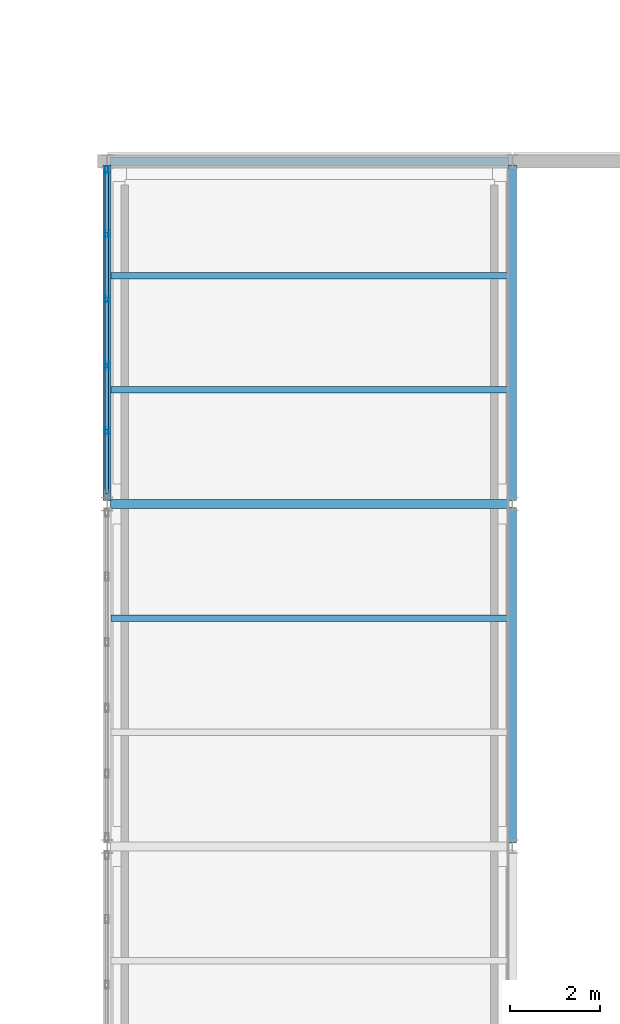
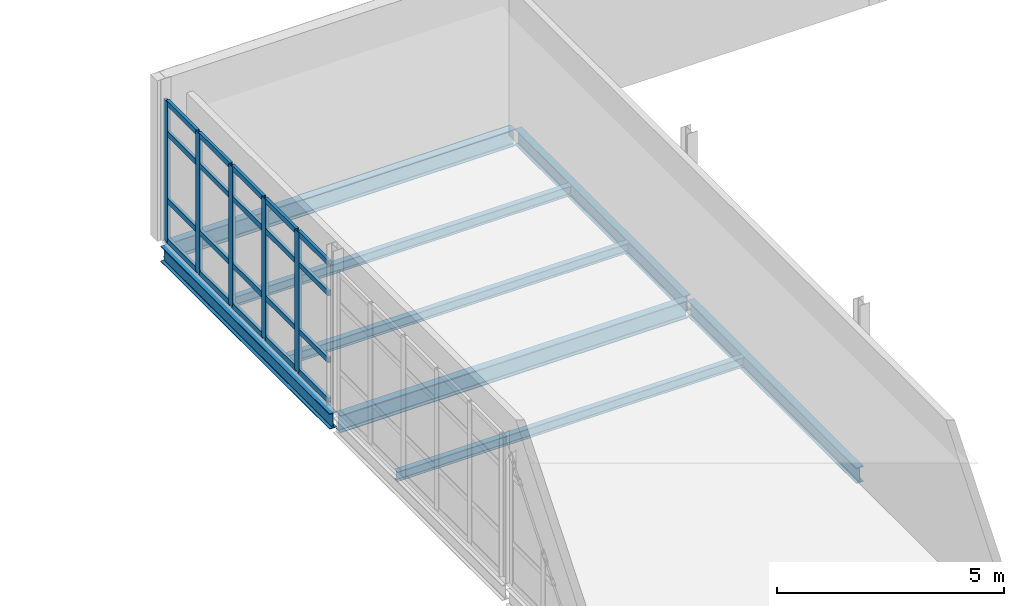
# One storey, part 113 of 174: 25 members, 8 beams, 1 element without a shape of its own.
"""IFC4 building model written with IfcOpenShell, lengths in metres."""

from ifc_helpers import new_model, si_unit, direction, frame, origin, origin_2d, place, context, subcontext, project, spatial, hollow_rectangle, i_section, extrude, material, material_profile, profile_set, type_object, element, aggregate, save


model = new_model("IFC4")

# Units and contexts
model_context = context("Model", 3, precision=1e-05, world=origin(), true_north=direction((0.0, 1.0)))
body_context = subcontext(model_context, "Body", "Model", "MODEL_VIEW")
ifc_project = project(units=[si_unit("LENGTHUNIT", "METRE"), si_unit("AREAUNIT", "SQUARE_METRE"), si_unit("VOLUMEUNIT", "CUBIC_METRE"), si_unit("PLANEANGLEUNIT", "RADIAN"), si_unit("MASSUNIT", "GRAM", prefix="KILO")], contexts=[model_context])

# Site, building, storey
site_placement = place(None, origin())
site = spatial("IfcSite", under=ifc_project, at=site_placement, CompositionType="ELEMENT")
building_placement = place(site_placement, origin())
building = spatial("IfcBuilding", under=site, at=building_placement, Name="Caisbarro Railhouse Central Library", CompositionType="ELEMENT")
storey_placement = place(building_placement, frame((0.0, 0.0, 5.0400390625)))
storey = spatial("IfcBuildingStorey", under=building, at=storey_placement, Name="L01", CompositionType="ELEMENT", Elevation=5.0400390625)

# Beams
ifc_material_1 = material(Name="Steel ASTM A572 Grade 50", Category="steel")
ifc_material_profile_1 = material_profile(ifc_material_1, i_section(OverallWidth=0.194091796875, OverallDepth=0.468994140625, WebThickness=0.0126953125, FlangeThickness=0.0205078125, FilletRadius=0.01806640625, at=origin_2d()), Name="W460X106.0")
ifc_profile_set_1 = profile_set([ifc_material_profile_1], Name="Steel ASTM A572 Grade 50")
beam_type_1 = type_object("IfcBeamType", Name="BM-G07", PredefinedType="BEAM", material=ifc_profile_set_1)
beam_1_placement = place(storey_placement, frame((144.080078125, 30.39990234375, -0.4345703125), z_axis=(1.0, 0.0, 0.0), x_axis=(0.0, 1.0, 0.0)))
element("IfcBeam", 1, at=beam_1_placement, inside=storey, type_object=beam_type_1, Name="G07 beam L01 #1061", PredefinedType="BEAM", context=body_context, shape_type="SweptSolid", body=[
    extrude(i_section(OverallWidth=0.194091796875, OverallDepth=0.468994140625, WebThickness=0.0126953125, FlangeThickness=0.0205078125, FilletRadius=0.01806640625, at=origin_2d()), origin(), (0.0, 0.0, 1.0), 8.83984375),
])
ifc_material_profile_2 = material_profile(ifc_material_1, i_section(OverallWidth=0.180908203125, OverallDepth=0.4169921875, WebThickness=0.010986328125, FlangeThickness=0.018310546875, FilletRadius=0.01611328125, at=origin_2d()), Name="W410X85.0")
ifc_profile_set_2 = profile_set([ifc_material_profile_2], Name="Steel ASTM A572 Grade 50")
beam_type_2 = type_object("IfcBeamType", Name="BM-G09", PredefinedType="BEAM", material=ifc_profile_set_2)
beam_2_placement = place(storey_placement, frame((144.0, 30.47998046875, -0.408447265625), z_axis=(0.0, 1.0, 0.0), x_axis=(-1.0, 0.0, 0.0)))
element("IfcBeam", 2, at=beam_2_placement, inside=storey, type_object=beam_type_2, Name="G09 beam L01 #1067", PredefinedType="BEAM", context=body_context, shape_type="SweptSolid", body=[
    extrude(i_section(OverallWidth=0.180908203125, OverallDepth=0.4169921875, WebThickness=0.010986328125, FlangeThickness=0.018310546875, FilletRadius=0.01611328125, at=origin_2d()), origin(), (0.0, 0.0, 1.0), 7.43994140625),
])
beam_3_placement = place(storey_placement, frame((153.0, 22.8798828125, -0.408447265625), z_axis=(0.0, 1.0, 0.0), x_axis=(-1.0, 0.0, 0.0)))
element("IfcBeam", 3, at=beam_3_placement, inside=storey, type_object=beam_type_2, Name="G09 beam L01 #1071", PredefinedType="BEAM", context=body_context, shape_type="SweptSolid", body=[
    extrude(i_section(OverallWidth=0.180908203125, OverallDepth=0.4169921875, WebThickness=0.010986328125, FlangeThickness=0.018310546875, FilletRadius=0.01611328125, at=origin_2d()), origin(), (0.0, 0.0, 1.0), 7.440185546875),
])
beam_4_placement = place(storey_placement, frame((153.0, 30.47998046875, -0.408447265625), z_axis=(0.0, 1.0, 0.0), x_axis=(-1.0, 0.0, 0.0)))
element("IfcBeam", 4, at=beam_4_placement, inside=storey, type_object=beam_type_2, Name="G09 beam L01 #1072", PredefinedType="BEAM", context=body_context, shape_type="SweptSolid", body=[
    extrude(i_section(OverallWidth=0.180908203125, OverallDepth=0.4169921875, WebThickness=0.010986328125, FlangeThickness=0.018310546875, FilletRadius=0.01611328125, at=origin_2d()), origin(), (0.0, 0.0, 1.0), 7.43994140625),
])
ifc_material_profile_3 = material_profile(ifc_material_1, i_section(OverallWidth=0.14599609375, OverallDepth=0.258056640625, WebThickness=0.006103515625, FlangeThickness=0.009033203125, FilletRadius=0.010009765625, at=origin_2d()), Name="W250X32.7")
ifc_profile_set_3 = profile_set([ifc_material_profile_3], Name="Steel ASTM A572 Grade 50")
beam_type_3 = type_object("IfcBeamType", Name="BM-J05", PredefinedType="JOIST", material=ifc_profile_set_3)
for number, where, z_axis, x_axis, name in (
    (5, (144.090576171875, 27.86669921875, -0.3291015625), (1.0, 0.0, 0.0), (0.0, 1.0, 0.0), "J05 beam L01 #1078"),
    (6, (144.090576171875, 32.933349609375, -0.3291015625), (1.0, 0.0, 0.0), (0.0, 1.0, 0.0), "J05 beam L01 #1079"),
    (7, (144.090576171875, 35.466796875, -0.3291015625), (1.0, 0.0, 0.0), (0.0, 1.0, 0.0), "J05 beam L01 #1080"),
):
    element("IfcBeam", number, at=place(storey_placement, frame(where, z_axis=z_axis, x_axis=x_axis)), inside=storey, type_object=beam_type_3, Name=name, PredefinedType="JOIST", context=body_context, shape_type="SweptSolid", body=[
        extrude(i_section(OverallWidth=0.14599609375, OverallDepth=0.258056640625, WebThickness=0.006103515625, FlangeThickness=0.009033203125, FilletRadius=0.010009765625, at=origin_2d()), origin(), (0.0, 0.0, 1.0), 8.81884765625),
    ])
ifc_material_profile_4 = material_profile(ifc_material_1, i_section(OverallWidth=0.18994140625, OverallDepth=0.45703125, WebThickness=0.009033203125, FlangeThickness=0.014404296875, FilletRadius=0.01806640625, at=origin_2d()), Name="W460X74.0")
ifc_profile_set_4 = profile_set([ifc_material_profile_4], Name="Steel ASTM A572 Grade 50")
beam_type_4 = type_object("IfcBeamType", Name="BM-SP01", PredefinedType="SPANDREL", material=ifc_profile_set_4)
beam_5_placement = place(storey_placement, frame((144.080078125, 38.0, -0.428466796875), z_axis=(1.0, 0.0, 0.0), x_axis=(0.0, 1.0, 0.0)))
element("IfcBeam", 8, at=beam_5_placement, inside=storey, type_object=beam_type_4, Name="SP01 beam L01 #1062", PredefinedType="SPANDREL", context=body_context, shape_type="SweptSolid", body=[
    extrude(i_section(OverallWidth=0.18994140625, OverallDepth=0.45703125, WebThickness=0.009033203125, FlangeThickness=0.014404296875, FilletRadius=0.01806640625, at=origin_2d()), origin(), (0.0, 0.0, 1.0), 8.83984375),
])

# Curtain wall, members
ifc_material_2 = material(Name="Anodised architectural aluminium", Category="aluminium")
curtain_wall_type = type_object("IfcCurtainWallType", Name="CW-CW02", PredefinedType="NOTDEFINED", material=ifc_material_2)
curtain_wall_placement = place(storey_placement, origin())
curtain_wall = element("IfcCurtainWall", 9, at=curtain_wall_placement, inside=storey, type_object=curtain_wall_type, Name="CW02 curtain wall L01 #91", PredefinedType="NOTDEFINED")
ifc_material_profile_5 = material_profile(ifc_material_2, hollow_rectangle(XDim=0.074951171875, YDim=0.179931640625, WallThickness=0.00439453125, at=origin_2d()), Name="ALU-MUL-75X180")
ifc_profile_set_5 = profile_set([ifc_material_profile_5], Name="Anodised architectural aluminium")
member_type_1 = type_object("IfcMemberType", Name="CWM-M01", PredefinedType="MULLION", material=ifc_profile_set_5)
member_1_placement = place(storey_placement, frame((144.0, 32.01611328125, 0.0), z_axis=(0.0, 0.0, 1.0), x_axis=(-1.0, 0.0, 0.0)))
member_1 = element("IfcMember", 10, at=member_1_placement, type_object=member_type_1, Name="CW02 mullion 2", PredefinedType="MULLION", context=body_context, shape_type="SweptSolid", body=[
    extrude(hollow_rectangle(XDim=0.074951171875, YDim=0.179931640625, WallThickness=0.00439453125, at=origin_2d()), origin(), (0.0, 0.0, 1.0), 3.77001953125),
])
member_2_placement = place(storey_placement, frame((144.0, 33.471923828125, 0.0), z_axis=(0.0, 0.0, 1.0), x_axis=(-1.0, 0.0, 0.0)))
member_2 = element("IfcMember", 11, at=member_2_placement, type_object=member_type_1, Name="CW02 mullion 3", PredefinedType="MULLION", context=body_context, shape_type="SweptSolid", body=[
    extrude(hollow_rectangle(XDim=0.074951171875, YDim=0.179931640625, WallThickness=0.00439453125, at=origin_2d()), origin(), (0.0, 0.0, 1.0), 3.77001953125),
])
member_3_placement = place(storey_placement, frame((144.0, 34.927978515625, 0.0), z_axis=(0.0, 0.0, 1.0), x_axis=(-1.0, 0.0, 0.0)))
member_3 = element("IfcMember", 12, at=member_3_placement, type_object=member_type_1, Name="CW02 mullion 4", PredefinedType="MULLION", context=body_context, shape_type="SweptSolid", body=[
    extrude(hollow_rectangle(XDim=0.074951171875, YDim=0.179931640625, WallThickness=0.00439453125, at=origin_2d()), origin(), (0.0, 0.0, 1.0), 3.77001953125),
])
member_4_placement = place(storey_placement, frame((144.0, 36.384033203125, 0.0), z_axis=(0.0, 0.0, 1.0), x_axis=(-1.0, 0.0, 0.0)))
member_4 = element("IfcMember", 13, at=member_4_placement, type_object=member_type_1, Name="CW02 mullion 5", PredefinedType="MULLION", context=body_context, shape_type="SweptSolid", body=[
    extrude(hollow_rectangle(XDim=0.074951171875, YDim=0.179931640625, WallThickness=0.00439453125, at=origin_2d()), origin(), (0.0, 0.0, 1.0), 3.77001953125),
])
member_5_placement = place(storey_placement, frame((144.0, 37.802490234375, 0.0), z_axis=(0.0, 0.0, 1.0), x_axis=(-1.0, 0.0, 0.0)))
member_5 = element("IfcMember", 14, at=member_5_placement, type_object=member_type_1, Name="CW02 mullion 6", PredefinedType="MULLION", context=body_context, shape_type="SweptSolid", body=[
    extrude(hollow_rectangle(XDim=0.074951171875, YDim=0.179931640625, WallThickness=0.00439453125, at=origin_2d()), origin(), (0.0, 0.0, 1.0), 3.77001953125),
])
ifc_material_profile_6 = material_profile(ifc_material_2, hollow_rectangle(XDim=0.074951171875, YDim=0.139892578125, WallThickness=0.00390625, at=origin_2d()), Name="ALU-TRN-75X140")
ifc_profile_set_6 = profile_set([ifc_material_profile_6], Name="Anodised architectural aluminium")
member_type_2 = type_object("IfcMemberType", Name="CWT-T01", PredefinedType="USERDEFINED", material=ifc_profile_set_6)
member_6_placement = place(storey_placement, frame((144.0, 30.635009765625, 0.037353515625), z_axis=(0.0, 1.0, 0.0), x_axis=(-1.0, 0.0, 0.0)))
member_6 = element("IfcMember", 15, at=member_6_placement, type_object=member_type_2, Name="CW02 transom 1.1", ObjectType="TRANSOM", PredefinedType="USERDEFINED", context=body_context, shape_type="SweptSolid", body=[
    extrude(hollow_rectangle(XDim=0.074951171875, YDim=0.139892578125, WallThickness=0.00390625, at=origin_2d()), origin(), (0.0, 0.0, 1.0), 1.343505859375),
])
member_7_placement = place(storey_placement, frame((144.0, 30.635009765625, 1.119873046875), z_axis=(0.0, 1.0, 0.0), x_axis=(-1.0, 0.0, 0.0)))
member_7 = element("IfcMember", 16, at=member_7_placement, type_object=member_type_2, Name="CW02 transom 1.2", ObjectType="TRANSOM", PredefinedType="USERDEFINED", context=body_context, shape_type="SweptSolid", body=[
    extrude(hollow_rectangle(XDim=0.074951171875, YDim=0.139892578125, WallThickness=0.00390625, at=origin_2d()), origin(), (0.0, 0.0, 1.0), 1.343505859375),
])
member_8_placement = place(storey_placement, frame((144.0, 30.635009765625, 2.919921875), z_axis=(0.0, 1.0, 0.0), x_axis=(-1.0, 0.0, 0.0)))
member_8 = element("IfcMember", 17, at=member_8_placement, type_object=member_type_2, Name="CW02 transom 1.3", ObjectType="TRANSOM", PredefinedType="USERDEFINED", context=body_context, shape_type="SweptSolid", body=[
    extrude(hollow_rectangle(XDim=0.074951171875, YDim=0.139892578125, WallThickness=0.00390625, at=origin_2d()), origin(), (0.0, 0.0, 1.0), 1.343505859375),
])
member_9_placement = place(storey_placement, frame((144.0, 30.635009765625, 3.732421875), z_axis=(0.0, 1.0, 0.0), x_axis=(-1.0, 0.0, 0.0)))
member_9 = element("IfcMember", 18, at=member_9_placement, type_object=member_type_2, Name="CW02 transom 1.4", ObjectType="TRANSOM", PredefinedType="USERDEFINED", context=body_context, shape_type="SweptSolid", body=[
    extrude(hollow_rectangle(XDim=0.074951171875, YDim=0.139892578125, WallThickness=0.00390625, at=origin_2d()), origin(), (0.0, 0.0, 1.0), 1.343505859375),
])
member_10_placement = place(storey_placement, frame((144.0, 32.053466796875, 0.037353515625), z_axis=(0.0, 1.0, 0.0), x_axis=(-1.0, 0.0, 0.0)))
member_10 = element("IfcMember", 19, at=member_10_placement, type_object=member_type_2, Name="CW02 transom 2.1", ObjectType="TRANSOM", PredefinedType="USERDEFINED", context=body_context, shape_type="SweptSolid", body=[
    extrude(hollow_rectangle(XDim=0.074951171875, YDim=0.139892578125, WallThickness=0.00390625, at=origin_2d()), origin(), (0.0, 0.0, 1.0), 1.381103515625),
])
member_11_placement = place(storey_placement, frame((144.0, 32.053466796875, 1.119873046875), z_axis=(0.0, 1.0, 0.0), x_axis=(-1.0, 0.0, 0.0)))
member_11 = element("IfcMember", 20, at=member_11_placement, type_object=member_type_2, Name="CW02 transom 2.2", ObjectType="TRANSOM", PredefinedType="USERDEFINED", context=body_context, shape_type="SweptSolid", body=[
    extrude(hollow_rectangle(XDim=0.074951171875, YDim=0.139892578125, WallThickness=0.00390625, at=origin_2d()), origin(), (0.0, 0.0, 1.0), 1.381103515625),
])
member_12_placement = place(storey_placement, frame((144.0, 32.053466796875, 2.919921875), z_axis=(0.0, 1.0, 0.0), x_axis=(-1.0, 0.0, 0.0)))
member_12 = element("IfcMember", 21, at=member_12_placement, type_object=member_type_2, Name="CW02 transom 2.3", ObjectType="TRANSOM", PredefinedType="USERDEFINED", context=body_context, shape_type="SweptSolid", body=[
    extrude(hollow_rectangle(XDim=0.074951171875, YDim=0.139892578125, WallThickness=0.00390625, at=origin_2d()), origin(), (0.0, 0.0, 1.0), 1.381103515625),
])
member_13_placement = place(storey_placement, frame((144.0, 32.053466796875, 3.732421875), z_axis=(0.0, 1.0, 0.0), x_axis=(-1.0, 0.0, 0.0)))
member_13 = element("IfcMember", 22, at=member_13_placement, type_object=member_type_2, Name="CW02 transom 2.4", ObjectType="TRANSOM", PredefinedType="USERDEFINED", context=body_context, shape_type="SweptSolid", body=[
    extrude(hollow_rectangle(XDim=0.074951171875, YDim=0.139892578125, WallThickness=0.00390625, at=origin_2d()), origin(), (0.0, 0.0, 1.0), 1.381103515625),
])
member_14_placement = place(storey_placement, frame((144.0, 33.509521484375, 0.037353515625), z_axis=(0.0, 1.0, 0.0), x_axis=(-1.0, 0.0, 0.0)))
member_14 = element("IfcMember", 23, at=member_14_placement, type_object=member_type_2, Name="CW02 transom 3.1", ObjectType="TRANSOM", PredefinedType="USERDEFINED", context=body_context, shape_type="SweptSolid", body=[
    extrude(hollow_rectangle(XDim=0.074951171875, YDim=0.139892578125, WallThickness=0.00390625, at=origin_2d()), origin(), (0.0, 0.0, 1.0), 1.380859375),
])
member_15_placement = place(storey_placement, frame((144.0, 33.509521484375, 1.119873046875), z_axis=(0.0, 1.0, 0.0), x_axis=(-1.0, 0.0, 0.0)))
member_15 = element("IfcMember", 24, at=member_15_placement, type_object=member_type_2, Name="CW02 transom 3.2", ObjectType="TRANSOM", PredefinedType="USERDEFINED", context=body_context, shape_type="SweptSolid", body=[
    extrude(hollow_rectangle(XDim=0.074951171875, YDim=0.139892578125, WallThickness=0.00390625, at=origin_2d()), origin(), (0.0, 0.0, 1.0), 1.380859375),
])
member_16_placement = place(storey_placement, frame((144.0, 33.509521484375, 2.919921875), z_axis=(0.0, 1.0, 0.0), x_axis=(-1.0, 0.0, 0.0)))
member_16 = element("IfcMember", 25, at=member_16_placement, type_object=member_type_2, Name="CW02 transom 3.3", ObjectType="TRANSOM", PredefinedType="USERDEFINED", context=body_context, shape_type="SweptSolid", body=[
    extrude(hollow_rectangle(XDim=0.074951171875, YDim=0.139892578125, WallThickness=0.00390625, at=origin_2d()), origin(), (0.0, 0.0, 1.0), 1.380859375),
])
member_17_placement = place(storey_placement, frame((144.0, 33.509521484375, 3.732421875), z_axis=(0.0, 1.0, 0.0), x_axis=(-1.0, 0.0, 0.0)))
member_17 = element("IfcMember", 26, at=member_17_placement, type_object=member_type_2, Name="CW02 transom 3.4", ObjectType="TRANSOM", PredefinedType="USERDEFINED", context=body_context, shape_type="SweptSolid", body=[
    extrude(hollow_rectangle(XDim=0.074951171875, YDim=0.139892578125, WallThickness=0.00390625, at=origin_2d()), origin(), (0.0, 0.0, 1.0), 1.380859375),
])
member_18_placement = place(storey_placement, frame((144.0, 34.965576171875, 0.037353515625), z_axis=(0.0, 1.0, 0.0), x_axis=(-1.0, 0.0, 0.0)))
member_18 = element("IfcMember", 27, at=member_18_placement, type_object=member_type_2, Name="CW02 transom 4.1", ObjectType="TRANSOM", PredefinedType="USERDEFINED", context=body_context, shape_type="SweptSolid", body=[
    extrude(hollow_rectangle(XDim=0.074951171875, YDim=0.139892578125, WallThickness=0.00390625, at=origin_2d()), origin(), (0.0, 0.0, 1.0), 1.380859375),
])
member_19_placement = place(storey_placement, frame((144.0, 34.965576171875, 1.119873046875), z_axis=(0.0, 1.0, 0.0), x_axis=(-1.0, 0.0, 0.0)))
member_19 = element("IfcMember", 28, at=member_19_placement, type_object=member_type_2, Name="CW02 transom 4.2", ObjectType="TRANSOM", PredefinedType="USERDEFINED", context=body_context, shape_type="SweptSolid", body=[
    extrude(hollow_rectangle(XDim=0.074951171875, YDim=0.139892578125, WallThickness=0.00390625, at=origin_2d()), origin(), (0.0, 0.0, 1.0), 1.380859375),
])
member_20_placement = place(storey_placement, frame((144.0, 34.965576171875, 2.919921875), z_axis=(0.0, 1.0, 0.0), x_axis=(-1.0, 0.0, 0.0)))
member_20 = element("IfcMember", 29, at=member_20_placement, type_object=member_type_2, Name="CW02 transom 4.3", ObjectType="TRANSOM", PredefinedType="USERDEFINED", context=body_context, shape_type="SweptSolid", body=[
    extrude(hollow_rectangle(XDim=0.074951171875, YDim=0.139892578125, WallThickness=0.00390625, at=origin_2d()), origin(), (0.0, 0.0, 1.0), 1.380859375),
])
member_21_placement = place(storey_placement, frame((144.0, 34.965576171875, 3.732421875), z_axis=(0.0, 1.0, 0.0), x_axis=(-1.0, 0.0, 0.0)))
member_21 = element("IfcMember", 30, at=member_21_placement, type_object=member_type_2, Name="CW02 transom 4.4", ObjectType="TRANSOM", PredefinedType="USERDEFINED", context=body_context, shape_type="SweptSolid", body=[
    extrude(hollow_rectangle(XDim=0.074951171875, YDim=0.139892578125, WallThickness=0.00390625, at=origin_2d()), origin(), (0.0, 0.0, 1.0), 1.380859375),
])
member_22_placement = place(storey_placement, frame((144.0, 36.42138671875, 0.037353515625), z_axis=(0.0, 1.0, 0.0), x_axis=(-1.0, 0.0, 0.0)))
member_22 = element("IfcMember", 31, at=member_22_placement, type_object=member_type_2, Name="CW02 transom 5.1", ObjectType="TRANSOM", PredefinedType="USERDEFINED", context=body_context, shape_type="SweptSolid", body=[
    extrude(hollow_rectangle(XDim=0.074951171875, YDim=0.139892578125, WallThickness=0.00390625, at=origin_2d()), origin(), (0.0, 0.0, 1.0), 1.343505859375),
])
member_23_placement = place(storey_placement, frame((144.0, 36.42138671875, 1.119873046875), z_axis=(0.0, 1.0, 0.0), x_axis=(-1.0, 0.0, 0.0)))
member_23 = element("IfcMember", 32, at=member_23_placement, type_object=member_type_2, Name="CW02 transom 5.2", ObjectType="TRANSOM", PredefinedType="USERDEFINED", context=body_context, shape_type="SweptSolid", body=[
    extrude(hollow_rectangle(XDim=0.074951171875, YDim=0.139892578125, WallThickness=0.00390625, at=origin_2d()), origin(), (0.0, 0.0, 1.0), 1.343505859375),
])
member_24_placement = place(storey_placement, frame((144.0, 36.42138671875, 2.919921875), z_axis=(0.0, 1.0, 0.0), x_axis=(-1.0, 0.0, 0.0)))
member_24 = element("IfcMember", 33, at=member_24_placement, type_object=member_type_2, Name="CW02 transom 5.3", ObjectType="TRANSOM", PredefinedType="USERDEFINED", context=body_context, shape_type="SweptSolid", body=[
    extrude(hollow_rectangle(XDim=0.074951171875, YDim=0.139892578125, WallThickness=0.00390625, at=origin_2d()), origin(), (0.0, 0.0, 1.0), 1.343505859375),
])
member_25_placement = place(storey_placement, frame((144.0, 36.42138671875, 3.732421875), z_axis=(0.0, 1.0, 0.0), x_axis=(-1.0, 0.0, 0.0)))
member_25 = element("IfcMember", 34, at=member_25_placement, type_object=member_type_2, Name="CW02 transom 5.4", ObjectType="TRANSOM", PredefinedType="USERDEFINED", context=body_context, shape_type="SweptSolid", body=[
    extrude(hollow_rectangle(XDim=0.074951171875, YDim=0.139892578125, WallThickness=0.00390625, at=origin_2d()), origin(), (0.0, 0.0, 1.0), 1.343505859375),
])
aggregate(curtain_wall, [member_1, member_2, member_3, member_4, member_5, member_6, member_7, member_8, member_9, member_10, member_11, member_12, member_13, member_14, member_15, member_16, member_17, member_18, member_19, member_20, member_21, member_22, member_23, member_24, member_25])

save(model, "model.ifc")
